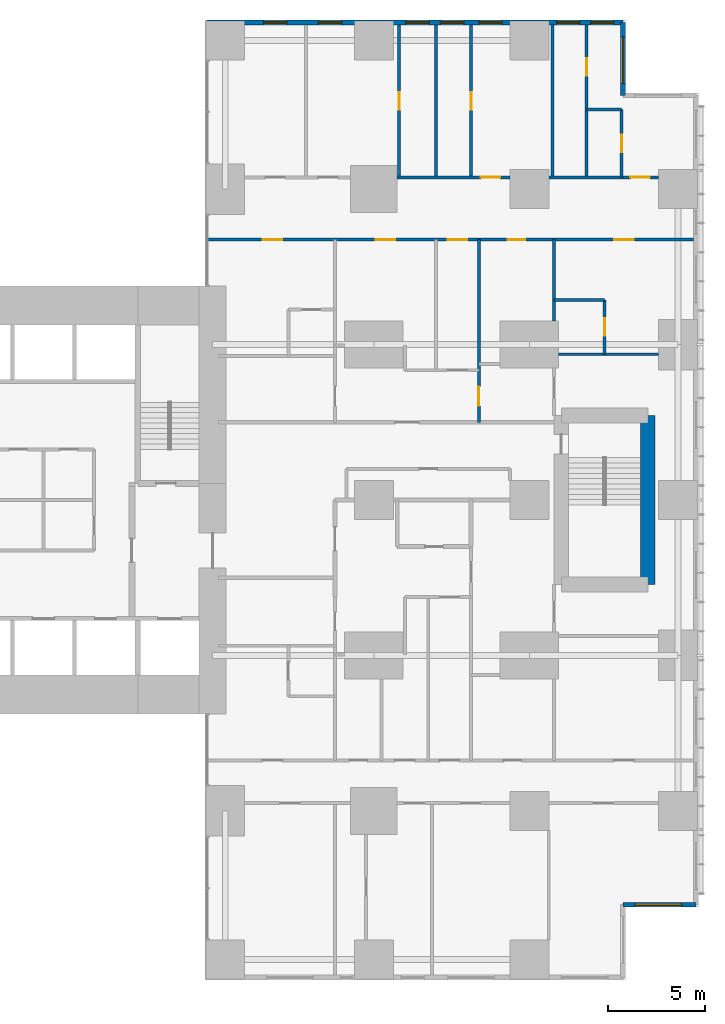
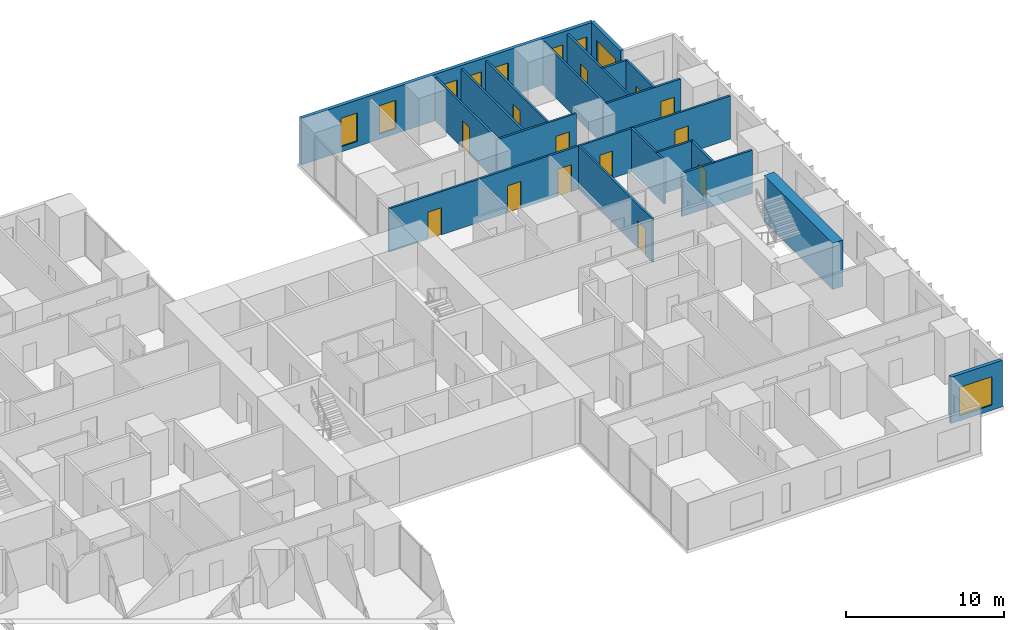
# One storey, part 18 of 20: 19 walls, 13 doors, 9 windows, 22 openings.
"""IFC4 building model written with IfcOpenShell, lengths in metres."""

from ifc_helpers import new_model, si_unit, direction, frame, frame_2d, origin, place, context, subcontext, project, spatial, rectangle, extrude, material, layer, layer_set, type_object, element, fill, save


model = new_model("IFC4")

# Units and contexts
model_context = context("Model", 3, precision=1e-05, world=origin(), true_north=direction((0.0, 1.0)))
body_context = subcontext(model_context, "Body", "Model", "MODEL_VIEW")
ifc_project = project(units=[si_unit("LENGTHUNIT", "METRE"), si_unit("AREAUNIT", "SQUARE_METRE"), si_unit("VOLUMEUNIT", "CUBIC_METRE"), si_unit("PLANEANGLEUNIT", "RADIAN"), si_unit("MASSUNIT", "GRAM", prefix="KILO")], contexts=[model_context])

# Site, building, storey
site_placement = place(None, origin())
site = spatial("IfcSite", under=ifc_project, at=site_placement, CompositionType="ELEMENT")
building_placement = place(site_placement, origin())
building = spatial("IfcBuilding", under=site, at=building_placement, Name="Cleftline Residences", CompositionType="ELEMENT")
storey_placement = place(building_placement, frame((0.0, 0.0, 139.39990234375)))
storey = spatial("IfcBuildingStorey", under=building, at=storey_placement, Name="L36", CompositionType="ELEMENT", Elevation=139.39990234375)

# Wall, opening, window
ifc_material_1 = material(Name="Rendered reinforced concrete blockwork", Category="masonry")
ifc_layer_1 = layer(ifc_material_1, 0.25)
ifc_layer_set_1 = layer_set([ifc_layer_1], Name="EXTERNAL WALL 250")
wall_type_1 = type_object("IfcWallType", Name="EXTERNAL WALL 250", PredefinedType="SOLIDWALL", material=ifc_layer_set_1)
wall_1_placement = place(storey_placement, frame((62.824951171875, 3.175048828125, 0.0), z_axis=(0.0, 0.0, 1.0), x_axis=(1.0, 0.0, 0.0)))
wall_1 = element("IfcWall", 1, at=wall_1_placement, inside=storey, type_object=wall_type_1, Name="External wall", PredefinedType="SOLIDWALL", context=body_context, shape_type="SweptSolid", body=[
    extrude(rectangle(XDim=3.75, YDim=0.25, at=frame_2d((1.875, 0.0))), origin(), (0.0, 0.0, 1.0), 3.60009765625),
])
opening_1_placement = place(wall_1_placement, frame((0.612548828125, 0.0, 0.39990234375)))
opening_1 = element("IfcOpeningElement", 2, at=opening_1_placement, cuts=wall_1, Name="Opening W12", PredefinedType="OPENING", context=body_context, shape_type="SweptSolid", body=[
    extrude(rectangle(XDim=2.39990234375, YDim=2.199951171875, at=frame_2d((1.199951171875, 1.10009765625))), frame((0.0, 0.135009765625, 0.0), z_axis=(0.0, -1.0, 0.0), x_axis=(1.0, 0.0, 0.0)), (0.0, 0.0, 1.0), 0.27001953125),
])
ifc_material_2 = material(Name="Aluminium frame, clear double glazing", Category="aluminium")
window_type_1 = type_object("IfcWindowType", Name="WINDOW 2400X2200", PartitioningType="DOUBLE_PANEL_VERTICAL", PredefinedType="WINDOW", material=ifc_material_2)
window_1_placement = place(opening_1_placement, origin())
window_1 = element("IfcWindow", 3, at=window_1_placement, inside=storey, type_object=window_type_1, Name="Window", OverallHeight=2.199951171875, OverallWidth=2.39990234375, PartitioningType="SINGLE_PANEL", PredefinedType="WINDOW", context=body_context, shape_type="SweptSolid", body=[
    extrude(rectangle(XDim=2.39990234375, YDim=2.199951171875, at=frame_2d((1.199951171875, 1.10009765625))), frame((0.0, 0.030029296875, 0.0), z_axis=(0.0, -1.0, 0.0), x_axis=(1.0, 0.0, 0.0)), (0.0, 0.0, 1.0), 0.06005859375),
])
fill(opening_1, window_1)

wall_2_placement = place(storey_placement, frame((62.824951171875, 44.824951171875, 0.0), z_axis=(0.0, 0.0, 1.0), x_axis=(0.0, 1.0, 0.0)))
wall_2 = element("IfcWall", 4, at=wall_2_placement, inside=storey, type_object=wall_type_1, Name="External wall", PredefinedType="SOLIDWALL", context=body_context, shape_type="SweptSolid", body=[
    extrude(rectangle(XDim=3.75, YDim=0.25, at=frame_2d((1.875, 0.0))), origin(), (0.0, 0.0, 1.0), 3.60009765625),
])
opening_2_placement = place(wall_2_placement, frame((0.612548828125, 0.0, 0.39990234375)))
opening_2 = element("IfcOpeningElement", 5, at=opening_2_placement, cuts=wall_2, Name="Opening W12", PredefinedType="OPENING", context=body_context, shape_type="SweptSolid", body=[
    extrude(rectangle(XDim=2.39990234375, YDim=2.199951171875, at=frame_2d((1.199951171875, 1.10009765625))), frame((0.0, 0.135009765625, 0.0), z_axis=(0.0, -1.0, 0.0), x_axis=(1.0, 0.0, 0.0)), (0.0, 0.0, 1.0), 0.27001953125),
])
window_2_placement = place(opening_2_placement, origin())
window_2 = element("IfcWindow", 6, at=window_2_placement, inside=storey, type_object=window_type_1, Name="Window", OverallHeight=2.199951171875, OverallWidth=2.39990234375, PartitioningType="SINGLE_PANEL", PredefinedType="WINDOW", context=body_context, shape_type="SweptSolid", body=[
    extrude(rectangle(XDim=2.39990234375, YDim=2.199951171875, at=frame_2d((1.199951171875, 1.10009765625))), frame((0.0, 0.030029296875, 0.0), z_axis=(0.0, -1.0, 0.0), x_axis=(1.0, 0.0, 0.0)), (0.0, 0.0, 1.0), 0.06005859375),
])
fill(opening_2, window_2)

# Wall, openings, windows
wall_3_placement = place(storey_placement, frame((62.824951171875, 48.574951171875, 0.0), z_axis=(0.0, 0.0, 1.0), x_axis=(-1.0, 0.0, 0.0)))
wall_3 = element("IfcWall", 7, at=wall_3_placement, inside=storey, type_object=wall_type_1, Name="External wall", PredefinedType="SOLIDWALL", context=body_context, shape_type="SweptSolid", body=[
    extrude(rectangle(XDim=21.39990234375, YDim=0.25, at=frame_2d((10.699951171875, 0.0))), origin(), (0.0, 0.0, 1.0), 3.60009765625),
])
opening_3_placement = place(wall_3_placement, frame((0.47509765625, 0.0, 0.39990234375)))
opening_3 = element("IfcOpeningElement", 8, at=opening_3_placement, cuts=wall_3, Name="Opening W11", PredefinedType="OPENING", context=body_context, shape_type="SweptSolid", body=[
    extrude(rectangle(XDim=1.199951171875, YDim=2.199951171875, at=frame_2d((0.60009765625, 1.10009765625))), frame((0.0, 0.135009765625, 0.0), z_axis=(0.0, -1.0, 0.0), x_axis=(1.0, 0.0, 0.0)), (0.0, 0.0, 1.0), 0.27001953125),
])
opening_4_placement = place(wall_3_placement, frame((2.22509765625, 0.0, 0.39990234375)))
opening_4 = element("IfcOpeningElement", 9, at=opening_4_placement, cuts=wall_3, Name="Opening W11", PredefinedType="OPENING", context=body_context, shape_type="SweptSolid", body=[
    extrude(rectangle(XDim=1.199951171875, YDim=2.199951171875, at=frame_2d((0.60009765625, 1.10009765625))), frame((0.0, 0.135009765625, 0.0), z_axis=(0.0, -1.0, 0.0), x_axis=(1.0, 0.0, 0.0)), (0.0, 0.0, 1.0), 0.27001953125),
])
opening_5_placement = place(wall_3_placement, frame((6.22509765625, 0.0, 0.39990234375)))
opening_5 = element("IfcOpeningElement", 10, at=opening_5_placement, cuts=wall_3, Name="Opening W11", PredefinedType="OPENING", context=body_context, shape_type="SweptSolid", body=[
    extrude(rectangle(XDim=1.199951171875, YDim=2.199951171875, at=frame_2d((0.60009765625, 1.10009765625))), frame((0.0, 0.135009765625, 0.0), z_axis=(0.0, -1.0, 0.0), x_axis=(1.0, 0.0, 0.0)), (0.0, 0.0, 1.0), 0.27001953125),
])
opening_6_placement = place(wall_3_placement, frame((8.199951171875, 0.0, 0.39990234375)))
opening_6 = element("IfcOpeningElement", 11, at=opening_6_placement, cuts=wall_3, Name="Opening W11", PredefinedType="OPENING", context=body_context, shape_type="SweptSolid", body=[
    extrude(rectangle(XDim=1.199951171875, YDim=2.199951171875, at=frame_2d((0.60009765625, 1.10009765625))), frame((0.0, 0.135009765625, 0.0), z_axis=(0.0, -1.0, 0.0), x_axis=(1.0, 0.0, 0.0)), (0.0, 0.0, 1.0), 0.27001953125),
])
opening_7_placement = place(wall_3_placement, frame((9.97509765625, 0.0, 0.39990234375)))
opening_7 = element("IfcOpeningElement", 12, at=opening_7_placement, cuts=wall_3, Name="Opening W11", PredefinedType="OPENING", context=body_context, shape_type="SweptSolid", body=[
    extrude(rectangle(XDim=1.199951171875, YDim=2.199951171875, at=frame_2d((0.60009765625, 1.10009765625))), frame((0.0, 0.135009765625, 0.0), z_axis=(0.0, -1.0, 0.0), x_axis=(1.0, 0.0, 0.0)), (0.0, 0.0, 1.0), 0.27001953125),
])
opening_8_placement = place(wall_3_placement, frame((14.47509765625, 0.0, 0.39990234375)))
opening_8 = element("IfcOpeningElement", 13, at=opening_8_placement, cuts=wall_3, Name="Opening W11", PredefinedType="OPENING", context=body_context, shape_type="SweptSolid", body=[
    extrude(rectangle(XDim=1.199951171875, YDim=2.199951171875, at=frame_2d((0.60009765625, 1.10009765625))), frame((0.0, 0.135009765625, 0.0), z_axis=(0.0, -1.0, 0.0), x_axis=(1.0, 0.0, 0.0)), (0.0, 0.0, 1.0), 0.27001953125),
])
opening_9_placement = place(wall_3_placement, frame((17.300048828125, 0.0, 0.39990234375)))
opening_9 = element("IfcOpeningElement", 14, at=opening_9_placement, cuts=wall_3, Name="Opening W11", PredefinedType="OPENING", context=body_context, shape_type="SweptSolid", body=[
    extrude(rectangle(XDim=1.199951171875, YDim=2.199951171875, at=frame_2d((0.60009765625, 1.10009765625))), frame((0.0, 0.135009765625, 0.0), z_axis=(0.0, -1.0, 0.0), x_axis=(1.0, 0.0, 0.0)), (0.0, 0.0, 1.0), 0.27001953125),
])
ifc_material_3 = material(Name="Aluminium frame, clear double glazing", Category="aluminium")
window_type_2 = type_object("IfcWindowType", Name="WINDOW 1200X2200", PartitioningType="DOUBLE_PANEL_VERTICAL", PredefinedType="WINDOW", material=ifc_material_3)
window_3_placement = place(opening_3_placement, origin())
window_3 = element("IfcWindow", 15, at=window_3_placement, inside=storey, type_object=window_type_2, Name="Window", OverallHeight=2.199951171875, OverallWidth=1.199951171875, PartitioningType="SINGLE_PANEL", PredefinedType="WINDOW", context=body_context, shape_type="SweptSolid", body=[
    extrude(rectangle(XDim=1.199951171875, YDim=2.199951171875, at=frame_2d((0.60009765625, 1.10009765625))), frame((0.0, 0.030029296875, 0.0), z_axis=(0.0, -1.0, 0.0), x_axis=(1.0, 0.0, 0.0)), (0.0, 0.0, 1.0), 0.06005859375),
])
fill(opening_3, window_3)
window_4_placement = place(opening_4_placement, origin())
window_4 = element("IfcWindow", 16, at=window_4_placement, inside=storey, type_object=window_type_2, Name="Window", OverallHeight=2.199951171875, OverallWidth=1.199951171875, PartitioningType="SINGLE_PANEL", PredefinedType="WINDOW", context=body_context, shape_type="SweptSolid", body=[
    extrude(rectangle(XDim=1.199951171875, YDim=2.199951171875, at=frame_2d((0.60009765625, 1.10009765625))), frame((0.0, 0.030029296875, 0.0), z_axis=(0.0, -1.0, 0.0), x_axis=(1.0, 0.0, 0.0)), (0.0, 0.0, 1.0), 0.06005859375),
])
fill(opening_4, window_4)
window_5_placement = place(opening_5_placement, origin())
window_5 = element("IfcWindow", 17, at=window_5_placement, inside=storey, type_object=window_type_2, Name="Window", OverallHeight=2.199951171875, OverallWidth=1.199951171875, PartitioningType="SINGLE_PANEL", PredefinedType="WINDOW", context=body_context, shape_type="SweptSolid", body=[
    extrude(rectangle(XDim=1.199951171875, YDim=2.199951171875, at=frame_2d((0.60009765625, 1.10009765625))), frame((0.0, 0.030029296875, 0.0), z_axis=(0.0, -1.0, 0.0), x_axis=(1.0, 0.0, 0.0)), (0.0, 0.0, 1.0), 0.06005859375),
])
fill(opening_5, window_5)
window_6_placement = place(opening_6_placement, origin())
window_6 = element("IfcWindow", 18, at=window_6_placement, inside=storey, type_object=window_type_2, Name="Window", OverallHeight=2.199951171875, OverallWidth=1.199951171875, PartitioningType="SINGLE_PANEL", PredefinedType="WINDOW", context=body_context, shape_type="SweptSolid", body=[
    extrude(rectangle(XDim=1.199951171875, YDim=2.199951171875, at=frame_2d((0.60009765625, 1.10009765625))), frame((0.0, 0.030029296875, 0.0), z_axis=(0.0, -1.0, 0.0), x_axis=(1.0, 0.0, 0.0)), (0.0, 0.0, 1.0), 0.06005859375),
])
fill(opening_6, window_6)
window_7_placement = place(opening_7_placement, origin())
window_7 = element("IfcWindow", 19, at=window_7_placement, inside=storey, type_object=window_type_2, Name="Window", OverallHeight=2.199951171875, OverallWidth=1.199951171875, PartitioningType="SINGLE_PANEL", PredefinedType="WINDOW", context=body_context, shape_type="SweptSolid", body=[
    extrude(rectangle(XDim=1.199951171875, YDim=2.199951171875, at=frame_2d((0.60009765625, 1.10009765625))), frame((0.0, 0.030029296875, 0.0), z_axis=(0.0, -1.0, 0.0), x_axis=(1.0, 0.0, 0.0)), (0.0, 0.0, 1.0), 0.06005859375),
])
fill(opening_7, window_7)
window_8_placement = place(opening_8_placement, origin())
window_8 = element("IfcWindow", 20, at=window_8_placement, inside=storey, type_object=window_type_2, Name="Window", OverallHeight=2.199951171875, OverallWidth=1.199951171875, PartitioningType="SINGLE_PANEL", PredefinedType="WINDOW", context=body_context, shape_type="SweptSolid", body=[
    extrude(rectangle(XDim=1.199951171875, YDim=2.199951171875, at=frame_2d((0.60009765625, 1.10009765625))), frame((0.0, 0.030029296875, 0.0), z_axis=(0.0, -1.0, 0.0), x_axis=(1.0, 0.0, 0.0)), (0.0, 0.0, 1.0), 0.06005859375),
])
fill(opening_8, window_8)
window_9_placement = place(opening_9_placement, origin())
window_9 = element("IfcWindow", 21, at=window_9_placement, inside=storey, type_object=window_type_2, Name="Window", OverallHeight=2.199951171875, OverallWidth=1.199951171875, PartitioningType="SINGLE_PANEL", PredefinedType="WINDOW", context=body_context, shape_type="SweptSolid", body=[
    extrude(rectangle(XDim=1.199951171875, YDim=2.199951171875, at=frame_2d((0.60009765625, 1.10009765625))), frame((0.0, 0.030029296875, 0.0), z_axis=(0.0, -1.0, 0.0), x_axis=(1.0, 0.0, 0.0)), (0.0, 0.0, 1.0), 0.06005859375),
])
fill(opening_9, window_9)

# Walls
ifc_material_4 = material(Name="Gypsum board on steel studs", Category="steel")
ifc_layer_2 = layer(ifc_material_4, 0.14990234375)
ifc_layer_set_2 = layer_set([ifc_layer_2], Name="PARTITION 150")
wall_type_2 = type_object("IfcWallType", Name="PARTITION 150", PredefinedType="PARTITIONING", material=ifc_layer_set_2)
wall_4_placement = place(storey_placement, frame((59.5, 31.5, 0.0), z_axis=(0.0, 0.0, 1.0), x_axis=(1.0, 0.0, 0.0)))
element("IfcWall", 22, at=wall_4_placement, inside=storey, type_object=wall_type_2, Name="Partition", PredefinedType="PARTITIONING", context=body_context, shape_type="SweptSolid", body=[
    extrude(rectangle(XDim=5.14990234375, YDim=0.14990234375, at=frame_2d((2.574951171875, 0.0))), origin(), (0.0, 0.0, 1.0), 3.35009765625),
])
wall_5_placement = place(storey_placement, frame((59.27490234375, 34.300048828125, 0.0), z_axis=(0.0, 0.0, 1.0), x_axis=(1.0, 0.0, 0.0)))
element("IfcWall", 23, at=wall_5_placement, inside=storey, type_object=wall_type_2, Name="Partition", PredefinedType="PARTITIONING", context=body_context, shape_type="SweptSolid", body=[
    extrude(rectangle(XDim=2.60009765625, YDim=0.14990234375, at=frame_2d((1.300048828125, 0.0))), origin(), (0.0, 0.0, 1.0), 3.35009765625),
])

# Wall, openings, doors
wall_6_placement = place(storey_placement, frame((41.43896484375, 37.39990234375, 0.0), z_axis=(0.0, 0.0, 1.0), x_axis=(1.0, 0.0, 0.0)))
wall_6 = element("IfcWall", 24, at=wall_6_placement, inside=storey, type_object=wall_type_2, Name="Partition", PredefinedType="PARTITIONING", context=body_context, shape_type="SweptSolid", body=[
    extrude(rectangle(XDim=25.010986328125, YDim=0.14990234375, at=frame_2d((12.50537109375, 0.0))), origin(), (0.0, 0.0, 1.0), 3.35009765625),
])
opening_10_placement = place(wall_6_placement, frame((12.361083984375, 0.0, 0.0)))
opening_10 = element("IfcOpeningElement", 25, at=opening_10_placement, cuts=wall_6, Name="Opening D2F30", PredefinedType="OPENING", context=body_context, shape_type="SweptSolid", body=[
    extrude(rectangle(XDim=1.0, YDim=2.10009765625, at=frame_2d((0.5, 1.050048828125))), frame((0.0, 0.0849609375, 0.0), z_axis=(0.0, -1.0, 0.0), x_axis=(1.0, 0.0, 0.0)), (0.0, 0.0, 1.0), 0.169921875),
])
opening_11_placement = place(wall_6_placement, frame((20.923583984375, 0.0, 0.0)))
opening_11 = element("IfcOpeningElement", 26, at=opening_11_placement, cuts=wall_6, Name="Opening D2F30", PredefinedType="OPENING", context=body_context, shape_type="SweptSolid", body=[
    extrude(rectangle(XDim=1.0, YDim=2.10009765625, at=frame_2d((0.5, 1.050048828125))), frame((0.0, 0.0849609375, 0.0), z_axis=(0.0, -1.0, 0.0), x_axis=(1.0, 0.0, 0.0)), (0.0, 0.0, 1.0), 0.169921875),
])
opening_12_placement = place(wall_6_placement, frame((15.448486328125, 0.0, 0.0)))
opening_12 = element("IfcOpeningElement", 27, at=opening_12_placement, cuts=wall_6, Name="Opening D1F30", PredefinedType="OPENING", context=body_context, shape_type="SweptSolid", body=[
    extrude(rectangle(XDim=0.89990234375, YDim=2.10009765625, at=frame_2d((0.449951171875, 1.050048828125))), frame((0.0, 0.0849609375, 0.0), z_axis=(0.0, -1.0, 0.0), x_axis=(1.0, 0.0, 0.0)), (0.0, 0.0, 1.0), 0.169921875),
])
opening_13_placement = place(wall_6_placement, frame((8.660888671875, 0.0, 0.0)))
opening_13 = element("IfcOpeningElement", 28, at=opening_13_placement, cuts=wall_6, Name="Opening D2F30", PredefinedType="OPENING", context=body_context, shape_type="SweptSolid", body=[
    extrude(rectangle(XDim=1.0, YDim=2.10009765625, at=frame_2d((0.5, 1.050048828125))), frame((0.0, 0.0849609375, 0.0), z_axis=(0.0, -1.0, 0.0), x_axis=(1.0, 0.0, 0.0)), (0.0, 0.0, 1.0), 0.169921875),
])
opening_14_placement = place(wall_6_placement, frame((2.8359375, 0.0, 0.0)))
opening_14 = element("IfcOpeningElement", 29, at=opening_14_placement, cuts=wall_6, Name="Opening D2F30", PredefinedType="OPENING", context=body_context, shape_type="SweptSolid", body=[
    extrude(rectangle(XDim=1.0, YDim=2.10009765625, at=frame_2d((0.5, 1.050048828125))), frame((0.0, 0.0849609375, 0.0), z_axis=(0.0, -1.0, 0.0), x_axis=(1.0, 0.0, 0.0)), (0.0, 0.0, 1.0), 0.169921875),
])
ifc_material_5 = material(Name="Timber veneer on solid core", Category="wood")
door_type_1 = type_object("IfcDoorType", Name="DOOR 1000X2100 EI 30", OperationType="SINGLE_SWING_LEFT", PredefinedType="DOOR", material=ifc_material_5)
door_1_placement = place(opening_10_placement, origin())
door_1 = element("IfcDoor", 30, at=door_1_placement, inside=storey, type_object=door_type_1, Name="Door to residence corridor (bedrooms)", OperationType="SINGLE_SWING_LEFT", OverallHeight=2.10009765625, OverallWidth=1.0, PredefinedType="DOOR", context=body_context, shape_type="SweptSolid", body=[
    extrude(rectangle(XDim=1.0, YDim=2.10009765625, at=frame_2d((0.5, 1.050048828125))), frame((0.0, 0.02490234375, 0.0), z_axis=(0.0, -1.0, 0.0), x_axis=(1.0, 0.0, 0.0)), (0.0, 0.0, 1.0), 0.050048828125),
])
fill(opening_10, door_1)
door_2_placement = place(opening_11_placement, origin())
door_2 = element("IfcDoor", 31, at=door_2_placement, inside=storey, type_object=door_type_1, Name="Door to master bedroom", OperationType="SINGLE_SWING_LEFT", OverallHeight=2.10009765625, OverallWidth=1.0, PredefinedType="DOOR", context=body_context, shape_type="SweptSolid", body=[
    extrude(rectangle(XDim=1.0, YDim=2.10009765625, at=frame_2d((0.5, 1.050048828125))), frame((0.0, 0.02490234375, 0.0), z_axis=(0.0, -1.0, 0.0), x_axis=(1.0, 0.0, 0.0)), (0.0, 0.0, 1.0), 0.050048828125),
])
fill(opening_11, door_2)
door_3_placement = place(opening_13_placement, origin())
door_3 = element("IfcDoor", 32, at=door_3_placement, inside=storey, type_object=door_type_1, Name="Door to media room", OperationType="SINGLE_SWING_RIGHT", OverallHeight=2.10009765625, OverallWidth=1.0, PredefinedType="DOOR", context=body_context, shape_type="SweptSolid", body=[
    extrude(rectangle(XDim=1.0, YDim=2.10009765625, at=frame_2d((0.5, 1.050048828125))), frame((0.0, 0.02490234375, 0.0), z_axis=(0.0, -1.0, 0.0), x_axis=(1.0, 0.0, 0.0)), (0.0, 0.0, 1.0), 0.050048828125),
])
fill(opening_13, door_3)
door_4_placement = place(opening_14_placement, origin())
door_4 = element("IfcDoor", 33, at=door_4_placement, inside=storey, type_object=door_type_1, Name="Door to staff bedroom", OperationType="SINGLE_SWING_RIGHT", OverallHeight=2.10009765625, OverallWidth=1.0, PredefinedType="DOOR", context=body_context, shape_type="SweptSolid", body=[
    extrude(rectangle(XDim=1.0, YDim=2.10009765625, at=frame_2d((0.5, 1.050048828125))), frame((0.0, 0.02490234375, 0.0), z_axis=(0.0, -1.0, 0.0), x_axis=(1.0, 0.0, 0.0)), (0.0, 0.0, 1.0), 0.050048828125),
])
fill(opening_14, door_4)
ifc_material_6 = material(Name="Timber veneer on solid core", Category="wood")
door_type_2 = type_object("IfcDoorType", Name="DOOR 900X2100 EI 30", OperationType="SINGLE_SWING_LEFT", PredefinedType="DOOR", material=ifc_material_6)
door_5_placement = place(opening_12_placement, origin())
door_5 = element("IfcDoor", 34, at=door_5_placement, inside=storey, type_object=door_type_2, Name="Door to guest bathroom", OperationType="SINGLE_SWING_LEFT", OverallHeight=2.10009765625, OverallWidth=0.89990234375, PredefinedType="DOOR", context=body_context, shape_type="SweptSolid", body=[
    extrude(rectangle(XDim=0.89990234375, YDim=2.10009765625, at=frame_2d((0.449951171875, 1.050048828125))), frame((0.0, 0.02490234375, 0.0), z_axis=(0.0, -1.0, 0.0), x_axis=(1.0, 0.0, 0.0)), (0.0, 0.0, 1.0), 0.050048828125),
])
fill(opening_12, door_5)

# Wall, opening, door
wall_7_placement = place(storey_placement, frame((51.199951171875, 40.60009765625, 0.0), z_axis=(0.0, 0.0, 1.0), x_axis=(1.0, 0.0, 0.0)))
wall_7 = element("IfcWall", 35, at=wall_7_placement, inside=storey, type_object=wall_type_2, Name="Partition", PredefinedType="PARTITIONING", context=body_context, shape_type="SweptSolid", body=[
    extrude(rectangle(XDim=5.800048828125, YDim=0.14990234375, at=frame_2d((2.89990234375, 0.0))), origin(), (0.0, 0.0, 1.0), 3.35009765625),
])
opening_15_placement = place(wall_7_placement, frame((4.300048828125, 0.0, 0.0)))
opening_15 = element("IfcOpeningElement", 36, at=opening_15_placement, cuts=wall_7, Name="Opening D2", PredefinedType="OPENING", context=body_context, shape_type="SweptSolid", body=[
    extrude(rectangle(XDim=1.0, YDim=2.10009765625, at=frame_2d((0.5, 1.050048828125))), frame((0.0, 0.0849609375, 0.0), z_axis=(0.0, -1.0, 0.0), x_axis=(1.0, 0.0, 0.0)), (0.0, 0.0, 1.0), 0.169921875),
])
ifc_material_7 = material(Name="Timber veneer on solid core", Category="wood")
door_type_3 = type_object("IfcDoorType", Name="DOOR 1000X2100", OperationType="SINGLE_SWING_LEFT", PredefinedType="DOOR", material=ifc_material_7)
door_6_placement = place(opening_15_placement, origin())
door_6 = element("IfcDoor", 37, at=door_6_placement, inside=storey, type_object=door_type_3, Name="Door to bedroom 3", OperationType="SINGLE_SWING_LEFT", OverallHeight=2.10009765625, OverallWidth=1.0, PredefinedType="DOOR", context=body_context, shape_type="SweptSolid", body=[
    extrude(rectangle(XDim=1.0, YDim=2.10009765625, at=frame_2d((0.5, 1.050048828125))), frame((0.0, 0.02490234375, 0.0), z_axis=(0.0, -1.0, 0.0), x_axis=(1.0, 0.0, 0.0)), (0.0, 0.0, 1.0), 0.050048828125),
])
fill(opening_15, door_6)

wall_8_placement = place(storey_placement, frame((59.0, 40.60009765625, 0.0), z_axis=(0.0, 0.0, 1.0), x_axis=(1.0, 0.0, 0.0)))
wall_8 = element("IfcWall", 38, at=wall_8_placement, inside=storey, type_object=wall_type_2, Name="Partition", PredefinedType="PARTITIONING", context=body_context, shape_type="SweptSolid", body=[
    extrude(rectangle(XDim=5.64990234375, YDim=0.14990234375, at=frame_2d((2.824951171875, 0.0))), origin(), (0.0, 0.0, 1.0), 3.35009765625),
])
opening_16_placement = place(wall_8_placement, frame((4.199951171875, 0.0, 0.0)))
opening_16 = element("IfcOpeningElement", 39, at=opening_16_placement, cuts=wall_8, Name="Opening D2", PredefinedType="OPENING", context=body_context, shape_type="SweptSolid", body=[
    extrude(rectangle(XDim=1.0, YDim=2.10009765625, at=frame_2d((0.5, 1.050048828125))), frame((0.0, 0.0849609375, 0.0), z_axis=(0.0, -1.0, 0.0), x_axis=(1.0, 0.0, 0.0)), (0.0, 0.0, 1.0), 0.169921875),
])
door_7_placement = place(opening_16_placement, origin())
door_7 = element("IfcDoor", 40, at=door_7_placement, inside=storey, type_object=door_type_3, Name="Door to bedroom 2", OperationType="SINGLE_SWING_LEFT", OverallHeight=2.10009765625, OverallWidth=1.0, PredefinedType="DOOR", context=body_context, shape_type="SweptSolid", body=[
    extrude(rectangle(XDim=1.0, YDim=2.10009765625, at=frame_2d((0.5, 1.050048828125))), frame((0.0, 0.02490234375, 0.0), z_axis=(0.0, -1.0, 0.0), x_axis=(1.0, 0.0, 0.0)), (0.0, 0.0, 1.0), 0.050048828125),
])
fill(opening_16, door_7)

# Wall
wall_9_placement = place(storey_placement, frame((60.949951171875, 44.10009765625, 0.0), z_axis=(0.0, 0.0, 1.0), x_axis=(1.0, 0.0, 0.0)))
element("IfcWall", 41, at=wall_9_placement, inside=storey, type_object=wall_type_2, Name="Partition", PredefinedType="PARTITIONING", context=body_context, shape_type="SweptSolid", body=[
    extrude(rectangle(XDim=1.800048828125, YDim=0.14990234375, at=frame_2d((0.89990234375, 0.0))), origin(), (0.0, 0.0, 1.0), 3.35009765625),
])

# Wall, opening, door
wall_10_placement = place(storey_placement, frame((51.300048828125, 40.60009765625, 0.0), z_axis=(0.0, 0.0, 1.0), x_axis=(0.0, 1.0, 0.0)))
wall_10 = element("IfcWall", 42, at=wall_10_placement, inside=storey, type_object=wall_type_2, Name="Partition", PredefinedType="PARTITIONING", context=body_context, shape_type="SweptSolid", body=[
    extrude(rectangle(XDim=7.849853515625, YDim=0.14990234375, at=frame_2d((3.9248046875, 0.0))), origin(), (0.0, 0.0, 1.0), 3.35009765625),
])
opening_17_placement = place(wall_10_placement, frame((3.47509765625, 0.0, 0.0)))
opening_17 = element("IfcOpeningElement", 43, at=opening_17_placement, cuts=wall_10, Name="Opening D1", PredefinedType="OPENING", context=body_context, shape_type="SweptSolid", body=[
    extrude(rectangle(XDim=0.89990234375, YDim=2.10009765625, at=frame_2d((0.449951171875, 1.050048828125))), frame((0.0, 0.0849609375, 0.0), z_axis=(0.0, -1.0, 0.0), x_axis=(1.0, 0.0, 0.0)), (0.0, 0.0, 1.0), 0.169921875),
])
ifc_material_8 = material(Name="Timber veneer on solid core", Category="wood")
door_type_4 = type_object("IfcDoorType", Name="DOOR 900X2100", OperationType="SINGLE_SWING_LEFT", PredefinedType="DOOR", material=ifc_material_8)
door_8_placement = place(opening_17_placement, origin())
door_8 = element("IfcDoor", 44, at=door_8_placement, inside=storey, type_object=door_type_4, Name="Door to en-suite bathroom 4", OperationType="SINGLE_SWING_LEFT", OverallHeight=2.10009765625, OverallWidth=0.89990234375, PredefinedType="DOOR", context=body_context, shape_type="SweptSolid", body=[
    extrude(rectangle(XDim=0.89990234375, YDim=2.10009765625, at=frame_2d((0.449951171875, 1.050048828125))), frame((0.0, 0.02490234375, 0.0), z_axis=(0.0, -1.0, 0.0), x_axis=(1.0, 0.0, 0.0)), (0.0, 0.0, 1.0), 0.050048828125),
])
fill(opening_17, door_8)

# Wall
wall_11_placement = place(storey_placement, frame((53.199951171875, 40.60009765625, 0.0), z_axis=(0.0, 0.0, 1.0), x_axis=(0.0, 1.0, 0.0)))
element("IfcWall", 45, at=wall_11_placement, inside=storey, type_object=wall_type_2, Name="Partition", PredefinedType="PARTITIONING", context=body_context, shape_type="SweptSolid", body=[
    extrude(rectangle(XDim=7.849853515625, YDim=0.14990234375, at=frame_2d((3.9248046875, 0.0))), origin(), (0.0, 0.0, 1.0), 3.35009765625),
])

# Wall, opening, door
wall_12_placement = place(storey_placement, frame((55.0, 40.60009765625, 0.0), z_axis=(0.0, 0.0, 1.0), x_axis=(0.0, 1.0, 0.0)))
wall_12 = element("IfcWall", 46, at=wall_12_placement, inside=storey, type_object=wall_type_2, Name="Partition", PredefinedType="PARTITIONING", context=body_context, shape_type="SweptSolid", body=[
    extrude(rectangle(XDim=7.849853515625, YDim=0.14990234375, at=frame_2d((3.9248046875, 0.0))), origin(), (0.0, 0.0, 1.0), 3.35009765625),
])
opening_18_placement = place(wall_12_placement, frame((3.47509765625, 0.0, 0.0)))
opening_18 = element("IfcOpeningElement", 47, at=opening_18_placement, cuts=wall_12, Name="Opening D1", PredefinedType="OPENING", context=body_context, shape_type="SweptSolid", body=[
    extrude(rectangle(XDim=0.89990234375, YDim=2.10009765625, at=frame_2d((0.449951171875, 1.050048828125))), frame((0.0, 0.0849609375, 0.0), z_axis=(0.0, -1.0, 0.0), x_axis=(1.0, 0.0, 0.0)), (0.0, 0.0, 1.0), 0.169921875),
])
door_9_placement = place(opening_18_placement, origin())
door_9 = element("IfcDoor", 48, at=door_9_placement, inside=storey, type_object=door_type_4, Name="Door to en-suite bathroom 3", OperationType="SINGLE_SWING_LEFT", OverallHeight=2.10009765625, OverallWidth=0.89990234375, PredefinedType="DOOR", context=body_context, shape_type="SweptSolid", body=[
    extrude(rectangle(XDim=0.89990234375, YDim=2.10009765625, at=frame_2d((0.449951171875, 1.050048828125))), frame((0.0, 0.02490234375, 0.0), z_axis=(0.0, -1.0, 0.0), x_axis=(1.0, 0.0, 0.0)), (0.0, 0.0, 1.0), 0.050048828125),
])
fill(opening_18, door_9)

wall_13_placement = place(storey_placement, frame((55.39990234375, 28.0, 0.0), z_axis=(0.0, 0.0, 1.0), x_axis=(0.0, 1.0, 0.0)))
wall_13 = element("IfcWall", 49, at=wall_13_placement, inside=storey, type_object=wall_type_2, Name="Partition", PredefinedType="PARTITIONING", context=body_context, shape_type="SweptSolid", body=[
    extrude(rectangle(XDim=9.39990234375, YDim=0.14990234375, at=frame_2d((4.699951171875, 0.0))), origin(), (0.0, 0.0, 1.0), 3.35009765625),
])
opening_19_placement = place(wall_13_placement, frame((0.83740234375, 0.0, 0.0)))
opening_19 = element("IfcOpeningElement", 50, at=opening_19_placement, cuts=wall_13, Name="Opening D2F30", PredefinedType="OPENING", context=body_context, shape_type="SweptSolid", body=[
    extrude(rectangle(XDim=1.0, YDim=2.10009765625, at=frame_2d((0.5, 1.050048828125))), frame((0.0, 0.0849609375, 0.0), z_axis=(0.0, -1.0, 0.0), x_axis=(1.0, 0.0, 0.0)), (0.0, 0.0, 1.0), 0.169921875),
])
door_10_placement = place(opening_19_placement, origin())
door_10 = element("IfcDoor", 51, at=door_10_placement, inside=storey, type_object=door_type_1, Name="Door to residence lobby (service)", OperationType="SINGLE_SWING_RIGHT", OverallHeight=2.10009765625, OverallWidth=1.0, PredefinedType="DOOR", context=body_context, shape_type="SweptSolid", body=[
    extrude(rectangle(XDim=1.0, YDim=2.10009765625, at=frame_2d((0.5, 1.050048828125))), frame((0.0, 0.02490234375, 0.0), z_axis=(0.0, -1.0, 0.0), x_axis=(1.0, 0.0, 0.0)), (0.0, 0.0, 1.0), 0.050048828125),
])
fill(opening_19, door_10)

# Walls
wall_14_placement = place(storey_placement, frame((59.199951171875, 40.60009765625, 0.0), z_axis=(0.0, 0.0, 1.0), x_axis=(0.0, 1.0, 0.0)))
element("IfcWall", 52, at=wall_14_placement, inside=storey, type_object=wall_type_2, Name="Partition", PredefinedType="PARTITIONING", context=body_context, shape_type="SweptSolid", body=[
    extrude(rectangle(XDim=7.849853515625, YDim=0.14990234375, at=frame_2d((3.9248046875, 0.0))), origin(), (0.0, 0.0, 1.0), 3.35009765625),
])
wall_15_placement = place(storey_placement, frame((59.27490234375, 33.199951171875, 0.0), z_axis=(0.0, 0.0, 1.0), x_axis=(0.0, 1.0, 0.0)))
element("IfcWall", 53, at=wall_15_placement, inside=storey, type_object=wall_type_2, Name="Partition", PredefinedType="PARTITIONING", context=body_context, shape_type="SweptSolid", body=[
    extrude(rectangle(XDim=4.199951171875, YDim=0.14990234375, at=frame_2d((2.10009765625, 0.0))), origin(), (0.0, 0.0, 1.0), 3.35009765625),
])

# Wall, opening, door
wall_16_placement = place(storey_placement, frame((60.949951171875, 40.60009765625, 0.0), z_axis=(0.0, 0.0, 1.0), x_axis=(0.0, 1.0, 0.0)))
wall_16 = element("IfcWall", 54, at=wall_16_placement, inside=storey, type_object=wall_type_2, Name="Partition", PredefinedType="PARTITIONING", context=body_context, shape_type="SweptSolid", body=[
    extrude(rectangle(XDim=7.849853515625, YDim=0.14990234375, at=frame_2d((3.9248046875, 0.0))), origin(), (0.0, 0.0, 1.0), 3.35009765625),
])
opening_20_placement = place(wall_16_placement, frame((5.22509765625, 0.0, 0.0)))
opening_20 = element("IfcOpeningElement", 55, at=opening_20_placement, cuts=wall_16, Name="Opening D1", PredefinedType="OPENING", context=body_context, shape_type="SweptSolid", body=[
    extrude(rectangle(XDim=0.89990234375, YDim=2.10009765625, at=frame_2d((0.449951171875, 1.050048828125))), frame((0.0, 0.0849609375, 0.0), z_axis=(0.0, -1.0, 0.0), x_axis=(1.0, 0.0, 0.0)), (0.0, 0.0, 1.0), 0.169921875),
])
door_11_placement = place(opening_20_placement, origin())
door_11 = element("IfcDoor", 56, at=door_11_placement, inside=storey, type_object=door_type_4, Name="Door to walk-in wardrobe", OperationType="SINGLE_SWING_LEFT", OverallHeight=2.10009765625, OverallWidth=0.89990234375, PredefinedType="DOOR", context=body_context, shape_type="SweptSolid", body=[
    extrude(rectangle(XDim=0.89990234375, YDim=2.10009765625, at=frame_2d((0.449951171875, 1.050048828125))), frame((0.0, 0.02490234375, 0.0), z_axis=(0.0, -1.0, 0.0), x_axis=(1.0, 0.0, 0.0)), (0.0, 0.0, 1.0), 0.050048828125),
])
fill(opening_20, door_11)

wall_17_placement = place(storey_placement, frame((61.875, 31.5, 0.0), z_axis=(0.0, 0.0, 1.0), x_axis=(0.0, 1.0, 0.0)))
wall_17 = element("IfcWall", 57, at=wall_17_placement, inside=storey, type_object=wall_type_2, Name="Partition", PredefinedType="PARTITIONING", context=body_context, shape_type="SweptSolid", body=[
    extrude(rectangle(XDim=2.800048828125, YDim=0.14990234375, at=frame_2d((1.39990234375, 0.0))), origin(), (0.0, 0.0, 1.0), 3.35009765625),
])
opening_21_placement = place(wall_17_placement, frame((0.949951171875, 0.0, 0.0)))
opening_21 = element("IfcOpeningElement", 58, at=opening_21_placement, cuts=wall_17, Name="Opening D1", PredefinedType="OPENING", context=body_context, shape_type="SweptSolid", body=[
    extrude(rectangle(XDim=0.89990234375, YDim=2.10009765625, at=frame_2d((0.449951171875, 1.050048828125))), frame((0.0, 0.0849609375, 0.0), z_axis=(0.0, -1.0, 0.0), x_axis=(1.0, 0.0, 0.0)), (0.0, 0.0, 1.0), 0.169921875),
])
door_12_placement = place(opening_21_placement, origin())
door_12 = element("IfcDoor", 59, at=door_12_placement, inside=storey, type_object=door_type_4, Name="Door to master bathroom", OperationType="SINGLE_SWING_LEFT", OverallHeight=2.10009765625, OverallWidth=0.89990234375, PredefinedType="DOOR", context=body_context, shape_type="SweptSolid", body=[
    extrude(rectangle(XDim=0.89990234375, YDim=2.10009765625, at=frame_2d((0.449951171875, 1.050048828125))), frame((0.0, 0.02490234375, 0.0), z_axis=(0.0, -1.0, 0.0), x_axis=(1.0, 0.0, 0.0)), (0.0, 0.0, 1.0), 0.050048828125),
])
fill(opening_21, door_12)

wall_18_placement = place(storey_placement, frame((62.75, 40.60009765625, 0.0), z_axis=(0.0, 0.0, 1.0), x_axis=(0.0, 1.0, 0.0)))
wall_18 = element("IfcWall", 60, at=wall_18_placement, inside=storey, type_object=wall_type_2, Name="Partition", PredefinedType="PARTITIONING", context=body_context, shape_type="SweptSolid", body=[
    extrude(rectangle(XDim=3.5, YDim=0.14990234375, at=frame_2d((1.75, 0.0))), origin(), (0.0, 0.0, 1.0), 3.35009765625),
])
opening_22_placement = place(wall_18_placement, frame((1.300048828125, 0.0, 0.0)))
opening_22 = element("IfcOpeningElement", 61, at=opening_22_placement, cuts=wall_18, Name="Opening D1", PredefinedType="OPENING", context=body_context, shape_type="SweptSolid", body=[
    extrude(rectangle(XDim=0.89990234375, YDim=2.10009765625, at=frame_2d((0.449951171875, 1.050048828125))), frame((0.0, 0.0849609375, 0.0), z_axis=(0.0, -1.0, 0.0), x_axis=(1.0, 0.0, 0.0)), (0.0, 0.0, 1.0), 0.169921875),
])
door_13_placement = place(opening_22_placement, origin())
door_13 = element("IfcDoor", 62, at=door_13_placement, inside=storey, type_object=door_type_4, Name="Door to en-suite bathroom 2", OperationType="SINGLE_SWING_LEFT", OverallHeight=2.10009765625, OverallWidth=0.89990234375, PredefinedType="DOOR", context=body_context, shape_type="SweptSolid", body=[
    extrude(rectangle(XDim=0.89990234375, YDim=2.10009765625, at=frame_2d((0.449951171875, 1.050048828125))), frame((0.0, 0.02490234375, 0.0), z_axis=(0.0, -1.0, 0.0), x_axis=(1.0, 0.0, 0.0)), (0.0, 0.0, 1.0), 0.050048828125),
])
fill(opening_22, door_13)

# Wall
ifc_material_9 = material(Name="Concrete B70", Category="concrete")
ifc_layer_3 = layer(ifc_material_9, 0.75)
ifc_layer_set_3 = layer_set([ifc_layer_3], Name="SHEAR WALL 750")
wall_type_3 = type_object("IfcWallType", Name="SHEAR WALL 750", PredefinedType="SHEAR", material=ifc_layer_set_3)
wall_19_placement = place(storey_placement, frame((64.10009765625, 19.64990234375, 0.0), z_axis=(0.0, 0.0, 1.0), x_axis=(0.0, 1.0, 0.0)))
element("IfcWall", 63, at=wall_19_placement, inside=storey, type_object=wall_type_3, Name="Wing shear wall", PredefinedType="SHEAR", context=body_context, shape_type="SweptSolid", body=[
    extrude(rectangle(XDim=8.7001953125, YDim=0.75, at=frame_2d((4.35009765625, 0.0))), origin(), (0.0, 0.0, 1.0), 3.60009765625),
])

save(model, "model.ifc")
